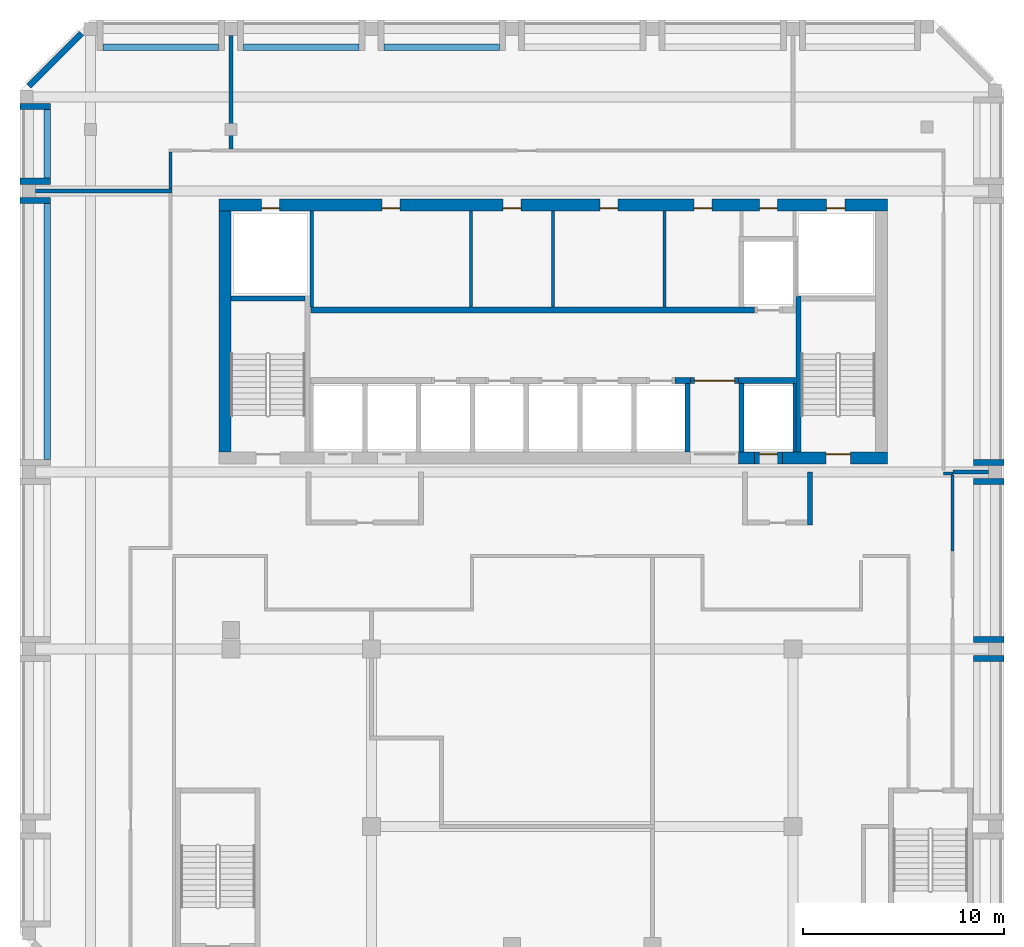
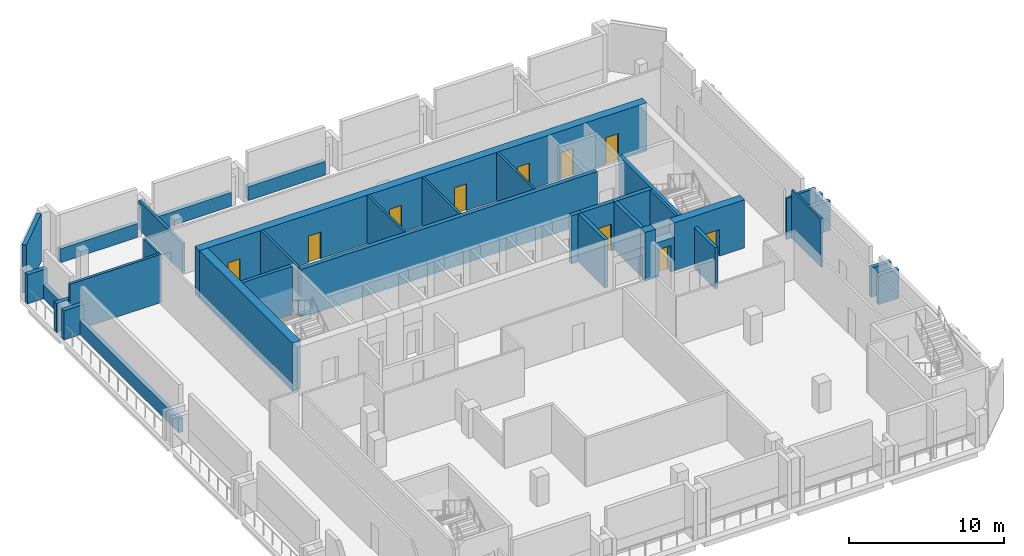
# One storey, part 4 of 7: 38 walls, 10 doors, 10 openings.
"""IFC4 building model written with IfcOpenShell, lengths in metres."""

from ifc_helpers import new_model, si_unit, direction, frame, frame_2d, origin, place, context, subcontext, project, spatial, rectangle, extrude, source, transform, mapped, material, layer, layer_set, type_object, element, fill, save


model = new_model("IFC4")

# Units and contexts
model_context = context("Model", 3, precision=1e-05, world=origin(), true_north=direction((0.0, 1.0)))
body_context = subcontext(model_context, "Body", "Model", "MODEL_VIEW")
ifc_project = project(units=[si_unit("LENGTHUNIT", "METRE"), si_unit("AREAUNIT", "SQUARE_METRE"), si_unit("VOLUMEUNIT", "CUBIC_METRE"), si_unit("PLANEANGLEUNIT", "RADIAN"), si_unit("MASSUNIT", "GRAM", prefix="KILO")], contexts=[model_context])

# Site, building, storey
site_placement = place(None, origin())
site = spatial("IfcSite", under=ifc_project, at=site_placement, CompositionType="ELEMENT")
building_placement = place(site_placement, origin())
building = spatial("IfcBuilding", under=site, at=building_placement, Name="Kilnfold Tower and Market Hall", CompositionType="ELEMENT")
storey_placement = place(building_placement, frame((0.0, 0.0, 290.800048828125)))
storey = spatial("IfcBuildingStorey", under=building, at=storey_placement, Name="L72 Plant Transfer Level", CompositionType="ELEMENT", Elevation=290.800048828125)

# Walls
ifc_material_1 = material(Name="Gypsum board on steel studs", Category="steel")
ifc_layer_1 = layer(ifc_material_1, 0.14990234375)
ifc_layer_set_1 = layer_set([ifc_layer_1], Name="Gypsum board on steel studs")
wall_type_1 = type_object("IfcWallType", Name="WALL CORRIDOR 150", PredefinedType="PARTITIONING", material=ifc_layer_set_1)
wall_1_placement = place(storey_placement, frame((20.9541015625, 7.912109375, 0.0), z_axis=(0.0, 0.0, 1.0), x_axis=(-1.0, 0.0, 0.0)))
element("IfcWall", 1, at=wall_1_placement, inside=storey, type_object=wall_type_1, Name="Partition LY44.19", PredefinedType="PARTITIONING", context=body_context, shape_type="SweptSolid", body=[
    extrude(rectangle(XDim=0.4541015625, YDim=0.14990234375, at=frame_2d((0.22705078125, 0.0))), origin(), (0.0, 0.0, 1.0), 3.25),
])
wall_2_placement = place(storey_placement, frame((20.951904296875, 4.048095703125, 0.0), z_axis=(0.0, 0.0, 1.0), x_axis=(0.0, 1.0, 0.0)))
element("IfcWall", 2, at=wall_2_placement, inside=storey, type_object=wall_type_1, Name="Partition LY44.20", PredefinedType="PARTITIONING", context=body_context, shape_type="SweptSolid", body=[
    extrude(rectangle(XDim=3.788818359375, YDim=0.14990234375, at=frame_2d((1.89453125, 0.0))), origin(), (0.0, 0.0, 1.0), 3.800048828125),
])
wall_3_placement = place(storey_placement, frame((-18.0, 22.090087890625, 0.0), z_axis=(0.0, 0.0, 1.0), x_axis=(0.0, 1.0, 0.0)))
element("IfcWall", 3, at=wall_3_placement, inside=storey, type_object=wall_type_1, Name="Partition LY44.23", PredefinedType="PARTITIONING", context=body_context, shape_type="SweptSolid", body=[
    extrude(rectangle(XDim=1.8349609375, YDim=0.14990234375, at=frame_2d((0.91748046875, 0.0))), origin(), (0.0, 0.0, 1.0), 3.800048828125),
])
ifc_material_2 = material(Name="Gypsum board on steel studs", Category="steel")
ifc_layer_2 = layer(ifc_material_2, 0.199951171875)
ifc_layer_set_2 = layer_set([ifc_layer_2], Name="Gypsum board on steel studs")
wall_type_2 = type_object("IfcWallType", Name="WALL PARTY 200", PredefinedType="PARTITIONING", material=ifc_layer_set_2)
wall_4_placement = place(storey_placement, frame((-17.927001953125, 22.0, 0.0), z_axis=(0.0, 0.0, 1.0), x_axis=(-1.0, 0.0, 0.0)))
element("IfcWall", 4, at=wall_4_placement, inside=storey, type_object=wall_type_2, Name="Partition LY44.31", PredefinedType="PARTITIONING", context=body_context, shape_type="SweptSolid", body=[
    extrude(rectangle(XDim=6.798095703125, YDim=0.199951171875, at=frame_2d((3.39892578125, 0.0))), origin(), (0.0, 0.0, 1.0), 3.800048828125),
])
wall_5_placement = place(storey_placement, frame((22.72509765625, 8.0, 0.0), z_axis=(0.0, 0.0, 1.0), x_axis=(-1.0, 0.0, 0.0)))
element("IfcWall", 5, at=wall_5_placement, inside=storey, type_object=wall_type_2, Name="Partition LY44.36", PredefinedType="PARTITIONING", context=body_context, shape_type="SweptSolid", body=[
    extrude(rectangle(XDim=1.77099609375, YDim=0.199951171875, at=frame_2d((0.885498046875, 0.0))), origin(), (0.0, 0.0, 1.0), 3.25),
])
wall_6_placement = place(storey_placement, frame((-15.0, 29.72509765625, 0.0), z_axis=(0.0, 0.0, 1.0), x_axis=(0.0, -1.0, 0.0)))
element("IfcWall", 6, at=wall_6_placement, inside=storey, type_object=wall_type_2, Name="Partition LY44.38", PredefinedType="PARTITIONING", context=body_context, shape_type="SweptSolid", body=[
    extrude(rectangle(XDim=5.648193359375, YDim=0.199951171875, at=frame_2d((2.82421875, 0.0))), origin(), (0.0, 0.0, 1.0), 2.300048828125),
])
ifc_material_3 = material(Name="Concrete C50", Category="concrete")
ifc_layer_3 = layer(ifc_material_3, 0.25)
ifc_layer_set_3 = layer_set([ifc_layer_3], Name="Concrete C50")
wall_type_3 = type_object("IfcWallType", Name="CORE WALL 250 C50", PredefinedType="SHEAR", material=ifc_layer_set_3)
shared_shape_1 = source(origin(), body_context, "Body", "SweptSolid", [
    extrude(rectangle(XDim=7.75, YDim=0.25, at=frame_2d((3.875, 0.0))), origin(), (0.0, 0.0, 1.0), 3.800048828125),
])
wall_7_placement = place(storey_placement, frame((13.27490234375, 9.0, 0.0), z_axis=(0.0, 0.0, 1.0), x_axis=(0.0, 1.0, 0.0)))
element("IfcWall", 7, at=wall_7_placement, inside=storey, type_object=wall_type_3, Name="Stair enclosure ST2", PredefinedType="SHEAR", context=body_context, shape_type="MappedRepresentation", body=[
    mapped(shared_shape_1, transform((0.0, 0.0, 0.0))),
])
shared_shape_2 = source(origin(), body_context, "Body", "SweptSolid", [
    extrude(rectangle(XDim=3.699951171875, YDim=0.25, at=frame_2d((1.85009765625, 0.0))), origin(), (0.0, 0.0, 1.0), 3.800048828125),
])
wall_8_placement = place(storey_placement, frame((-15.0, 16.625, 0.0), z_axis=(0.0, 0.0, 1.0), x_axis=(1.0, 0.0, 0.0)))
element("IfcWall", 8, at=wall_8_placement, inside=storey, type_object=wall_type_3, Name="Stair enclosure ST1", PredefinedType="SHEAR", context=body_context, shape_type="MappedRepresentation", body=[
    mapped(shared_shape_2, transform((0.0, 0.0, 0.0))),
])
ifc_material_4 = material(Name="Concrete C50", Category="concrete")
ifc_layer_4 = layer(ifc_material_4, 0.300048828125)
ifc_layer_set_4 = layer_set([ifc_layer_4], Name="Concrete C50")
wall_type_4 = type_object("IfcWallType", Name="CORE WALL 300 C50", PredefinedType="SHEAR", material=ifc_layer_set_4)
shared_shape_3 = source(origin(), body_context, "Body", "SweptSolid", [
    extrude(rectangle(XDim=0.77978515625, YDim=0.300048828125, at=frame_2d((0.389892578125, 0.0))), origin(), (0.0, 0.0, 1.0), 3.800048828125),
])
wall_9_placement = place(storey_placement, frame((7.110107421875, 12.550048828125, 0.0), z_axis=(0.0, 0.0, 1.0), x_axis=(1.0, 0.0, 0.0)))
element("IfcWall", 9, at=wall_9_placement, inside=storey, type_object=wall_type_4, Name="Core spine wall", PredefinedType="SHEAR", context=body_context, shape_type="MappedRepresentation", body=[
    mapped(shared_shape_3, transform((0.0, 0.0, 0.0))),
])
shared_shape_4 = source(origin(), body_context, "Body", "SweptSolid", [
    extrude(rectangle(XDim=2.820068359375, YDim=0.300048828125, at=frame_2d((1.41015625, 0.0))), origin(), (0.0, 0.0, 1.0), 3.800048828125),
])
wall_10_placement = place(storey_placement, frame((10.2900390625, 12.550048828125, 0.0), z_axis=(0.0, 0.0, 1.0), x_axis=(1.0, 0.0, 0.0)))
element("IfcWall", 10, at=wall_10_placement, inside=storey, type_object=wall_type_4, Name="Core spine wall", PredefinedType="SHEAR", context=body_context, shape_type="MappedRepresentation", body=[
    mapped(shared_shape_4, transform((0.0, 0.0, 0.0))),
])

# Wall, opening, door
ifc_material_5 = material(Name="Concrete C50", Category="concrete")
ifc_layer_5 = layer(ifc_material_5, 0.60009765625)
ifc_layer_set_5 = layer_set([ifc_layer_5], Name="Concrete C50")
wall_type_5 = type_object("IfcWallType", Name="CORE WALL 600 C50", PredefinedType="SHEAR", material=ifc_layer_set_5)
shared_shape_5 = source(origin(), body_context, "Body", "SweptSolid", [
    extrude(rectangle(XDim=5.22998046875, YDim=0.60009765625, at=frame_2d((2.614990234375, 0.0))), origin(), (0.0, 0.0, 1.0), 3.800048828125),
])
wall_11_placement = place(storey_placement, frame((12.469970703125, 8.699951171875, 0.0), z_axis=(0.0, 0.0, 1.0), x_axis=(1.0, 0.0, 0.0)))
wall_11 = element("IfcWall", 11, at=wall_11_placement, inside=storey, type_object=wall_type_5, Name="Core outer wall south", PredefinedType="SHEAR", context=body_context, shape_type="MappedRepresentation", body=[
    mapped(shared_shape_5, transform((0.0, 0.0, 0.0))),
])
opening_1_placement = place(wall_11_placement, frame((2.179931640625, 0.0, 0.0)))
opening_1 = element("IfcOpeningElement", 12, at=opening_1_placement, cuts=wall_11, Name="Opening SD1", PredefinedType="OPENING", context=body_context, shape_type="SweptSolid", body=[
    extrude(rectangle(XDim=1.199951171875, YDim=2.10009765625, at=frame_2d((0.60009765625, 1.050048828125))), frame((0.0, 0.31005859375, 0.0), z_axis=(0.0, -1.0, 0.0), x_axis=(1.0, 0.0, 0.0)), (0.0, 0.0, 1.0), 0.6201171875),
])
ifc_material_6 = material(Name="Steel door set with fire-resisting leaf", Category="steel")
door_type_1 = type_object("IfcDoorType", Name="STAIR FLOOR DOOR 1200X2100", OperationType="NOTDEFINED", PredefinedType="DOOR", material=ifc_material_6)
door_1_placement = place(opening_1_placement, origin())
door_1 = element("IfcDoor", 13, at=door_1_placement, inside=storey, type_object=door_type_1, Name="Exit stair ST2 door", OperationType="DOUBLE_DOOR_SINGLE_SWING", OverallHeight=2.10009765625, OverallWidth=1.199951171875, PredefinedType="DOOR", context=body_context, shape_type="SweptSolid", body=[
    extrude(rectangle(XDim=1.199951171875, YDim=2.10009765625, at=frame_2d((0.60009765625, 1.050048828125))), frame((0.0, 0.205078125, 0.0), z_axis=(0.0, -1.0, 0.0), x_axis=(1.0, 0.0, 0.0)), (0.0, 0.0, 1.0), 0.050048828125),
])
fill(opening_1, door_1)

# Wall
shared_shape_6 = source(origin(), body_context, "Body", "SweptSolid", [
    extrude(rectangle(XDim=0.780029296875, YDim=0.60009765625, at=frame_2d((0.39013671875, 0.0))), origin(), (0.0, 0.0, 1.0), 3.800048828125),
])
wall_12_placement = place(storey_placement, frame((10.2900390625, 8.699951171875, 0.0), z_axis=(0.0, 0.0, 1.0), x_axis=(1.0, 0.0, 0.0)))
element("IfcWall", 14, at=wall_12_placement, inside=storey, type_object=wall_type_5, Name="Core outer wall south", PredefinedType="SHEAR", context=body_context, shape_type="MappedRepresentation", body=[
    mapped(shared_shape_6, transform((0.0, 0.0, 0.0))),
])

# Wall, openings, doors
shared_shape_7 = source(origin(), body_context, "Body", "SweptSolid", [
    extrude(rectangle(XDim=33.300048828125, YDim=0.60009765625, at=frame_2d((16.64990234375, 0.0))), origin(), (0.0, 0.0, 1.0), 3.800048828125),
])
wall_13_placement = place(storey_placement, frame((-15.60009765625, 21.300048828125, 0.0), z_axis=(0.0, 0.0, 1.0), x_axis=(1.0, 0.0, 0.0)))
wall_13 = element("IfcWall", 15, at=wall_13_placement, inside=storey, type_object=wall_type_5, Name="Core outer wall north", PredefinedType="SHEAR", context=body_context, shape_type="MappedRepresentation", body=[
    mapped(shared_shape_7, transform((0.0, 0.0, 0.0))),
])
opening_2_placement = place(wall_13_placement, frame((8.119873046875, 0.0, 0.0)))
opening_2 = element("IfcOpeningElement", 16, at=opening_2_placement, cuts=wall_13, Name="Opening KD1", PredefinedType="OPENING", context=body_context, shape_type="SweptSolid", body=[
    extrude(rectangle(XDim=0.89990234375, YDim=2.10009765625, at=frame_2d((0.449951171875, 1.050048828125))), frame((0.0, 0.31005859375, 0.0), z_axis=(0.0, -1.0, 0.0), x_axis=(1.0, 0.0, 0.0)), (0.0, 0.0, 1.0), 0.6201171875),
])
opening_3_placement = place(wall_13_placement, frame((14.14990234375, 0.0, 0.0)))
opening_3 = element("IfcOpeningElement", 17, at=opening_3_placement, cuts=wall_13, Name="Opening KD1", PredefinedType="OPENING", context=body_context, shape_type="SweptSolid", body=[
    extrude(rectangle(XDim=0.89990234375, YDim=2.10009765625, at=frame_2d((0.449951171875, 1.050048828125))), frame((0.0, 0.31005859375, 0.0), z_axis=(0.0, -1.0, 0.0), x_axis=(1.0, 0.0, 0.0)), (0.0, 0.0, 1.0), 0.6201171875),
])
opening_4_placement = place(wall_13_placement, frame((18.973876953125, 0.0, 0.0)))
opening_4 = element("IfcOpeningElement", 18, at=opening_4_placement, cuts=wall_13, Name="Opening KD1", PredefinedType="OPENING", context=body_context, shape_type="SweptSolid", body=[
    extrude(rectangle(XDim=0.89990234375, YDim=2.10009765625, at=frame_2d((0.449951171875, 1.050048828125))), frame((0.0, 0.31005859375, 0.0), z_axis=(0.0, -1.0, 0.0), x_axis=(1.0, 0.0, 0.0)), (0.0, 0.0, 1.0), 0.6201171875),
])
opening_5_placement = place(wall_13_placement, frame((23.663818359375, 0.0, 0.0)))
opening_5 = element("IfcOpeningElement", 19, at=opening_5_placement, cuts=wall_13, Name="Opening KD1", PredefinedType="OPENING", context=body_context, shape_type="SweptSolid", body=[
    extrude(rectangle(XDim=0.89990234375, YDim=2.10009765625, at=frame_2d((0.449951171875, 1.050048828125))), frame((0.0, 0.31005859375, 0.0), z_axis=(0.0, -1.0, 0.0), x_axis=(1.0, 0.0, 0.0)), (0.0, 0.0, 1.0), 0.6201171875),
])
opening_6_placement = place(wall_13_placement, frame((26.919921875, 0.0, 0.0)))
opening_6 = element("IfcOpeningElement", 20, at=opening_6_placement, cuts=wall_13, Name="Opening KD1", PredefinedType="OPENING", context=body_context, shape_type="SweptSolid", body=[
    extrude(rectangle(XDim=0.89990234375, YDim=2.10009765625, at=frame_2d((0.449951171875, 1.050048828125))), frame((0.0, 0.31005859375, 0.0), z_axis=(0.0, -1.0, 0.0), x_axis=(1.0, 0.0, 0.0)), (0.0, 0.0, 1.0), 0.6201171875),
])
opening_7_placement = place(wall_13_placement, frame((2.125, 0.0, 0.0)))
opening_7 = element("IfcOpeningElement", 21, at=opening_7_placement, cuts=wall_13, Name="Opening KD1", PredefinedType="OPENING", context=body_context, shape_type="SweptSolid", body=[
    extrude(rectangle(XDim=0.89990234375, YDim=2.10009765625, at=frame_2d((0.449951171875, 1.050048828125))), frame((0.0, 0.31005859375, 0.0), z_axis=(0.0, -1.0, 0.0), x_axis=(1.0, 0.0, 0.0)), (0.0, 0.0, 1.0), 0.6201171875),
])
opening_8_placement = place(wall_13_placement, frame((30.27490234375, 0.0, 0.0)))
opening_8 = element("IfcOpeningElement", 22, at=opening_8_placement, cuts=wall_13, Name="Opening KD1", PredefinedType="OPENING", context=body_context, shape_type="SweptSolid", body=[
    extrude(rectangle(XDim=0.89990234375, YDim=2.10009765625, at=frame_2d((0.449951171875, 1.050048828125))), frame((0.0, 0.31005859375, 0.0), z_axis=(0.0, -1.0, 0.0), x_axis=(1.0, 0.0, 0.0)), (0.0, 0.0, 1.0), 0.6201171875),
])
ifc_material_7 = material(Name="Steel door set with fire-resisting leaf", Category="steel")
door_type_2 = type_object("IfcDoorType", Name="SERVICE DOOR 900X2100", OperationType="NOTDEFINED", PredefinedType="DOOR", material=ifc_material_7)
door_2_placement = place(opening_2_placement, origin())
door_2 = element("IfcDoor", 23, at=door_2_placement, inside=storey, type_object=door_type_2, Name="Core service door", OperationType="SINGLE_SWING_RIGHT", OverallHeight=2.10009765625, OverallWidth=0.89990234375, PredefinedType="DOOR", context=body_context, shape_type="SweptSolid", body=[
    extrude(rectangle(XDim=0.89990234375, YDim=2.10009765625, at=frame_2d((0.449951171875, 1.050048828125))), frame((0.0, -0.15478515625, 0.0), z_axis=(0.0, -1.0, 0.0), x_axis=(1.0, 0.0, 0.0)), (0.0, 0.0, 1.0), 0.050048828125),
])
fill(opening_2, door_2)
door_3_placement = place(opening_3_placement, origin())
door_3 = element("IfcDoor", 24, at=door_3_placement, inside=storey, type_object=door_type_2, Name="Core service door", OperationType="SINGLE_SWING_LEFT", OverallHeight=2.10009765625, OverallWidth=0.89990234375, PredefinedType="DOOR", context=body_context, shape_type="SweptSolid", body=[
    extrude(rectangle(XDim=0.89990234375, YDim=2.10009765625, at=frame_2d((0.449951171875, 1.050048828125))), frame((0.0, -0.15478515625, 0.0), z_axis=(0.0, -1.0, 0.0), x_axis=(1.0, 0.0, 0.0)), (0.0, 0.0, 1.0), 0.050048828125),
])
fill(opening_3, door_3)
door_4_placement = place(opening_4_placement, origin())
door_4 = element("IfcDoor", 25, at=door_4_placement, inside=storey, type_object=door_type_2, Name="Core service door", OperationType="SINGLE_SWING_RIGHT", OverallHeight=2.10009765625, OverallWidth=0.89990234375, PredefinedType="DOOR", context=body_context, shape_type="SweptSolid", body=[
    extrude(rectangle(XDim=0.89990234375, YDim=2.10009765625, at=frame_2d((0.449951171875, 1.050048828125))), frame((0.0, -0.15478515625, 0.0), z_axis=(0.0, -1.0, 0.0), x_axis=(1.0, 0.0, 0.0)), (0.0, 0.0, 1.0), 0.050048828125),
])
fill(opening_4, door_4)
door_5_placement = place(opening_5_placement, origin())
door_5 = element("IfcDoor", 26, at=door_5_placement, inside=storey, type_object=door_type_2, Name="Core service door", OperationType="SINGLE_SWING_LEFT", OverallHeight=2.10009765625, OverallWidth=0.89990234375, PredefinedType="DOOR", context=body_context, shape_type="SweptSolid", body=[
    extrude(rectangle(XDim=0.89990234375, YDim=2.10009765625, at=frame_2d((0.449951171875, 1.050048828125))), frame((0.0, -0.15478515625, 0.0), z_axis=(0.0, -1.0, 0.0), x_axis=(1.0, 0.0, 0.0)), (0.0, 0.0, 1.0), 0.050048828125),
])
fill(opening_5, door_5)
door_6_placement = place(opening_6_placement, origin())
door_6 = element("IfcDoor", 27, at=door_6_placement, inside=storey, type_object=door_type_2, Name="Core service door", OperationType="SINGLE_SWING_RIGHT", OverallHeight=2.10009765625, OverallWidth=0.89990234375, PredefinedType="DOOR", context=body_context, shape_type="SweptSolid", body=[
    extrude(rectangle(XDim=0.89990234375, YDim=2.10009765625, at=frame_2d((0.449951171875, 1.050048828125))), frame((0.0, -0.15478515625, 0.0), z_axis=(0.0, -1.0, 0.0), x_axis=(1.0, 0.0, 0.0)), (0.0, 0.0, 1.0), 0.050048828125),
])
fill(opening_6, door_6)
door_7_placement = place(opening_7_placement, origin())
door_7 = element("IfcDoor", 28, at=door_7_placement, inside=storey, type_object=door_type_2, Name="Electrical riser access door", OperationType="SINGLE_SWING_LEFT", OverallHeight=2.10009765625, OverallWidth=0.89990234375, PredefinedType="DOOR", context=body_context, shape_type="SweptSolid", body=[
    extrude(rectangle(XDim=0.89990234375, YDim=2.10009765625, at=frame_2d((0.449951171875, 1.050048828125))), frame((0.0, -0.15478515625, 0.0), z_axis=(0.0, -1.0, 0.0), x_axis=(1.0, 0.0, 0.0)), (0.0, 0.0, 1.0), 0.050048828125),
])
fill(opening_7, door_7)
door_8_placement = place(opening_8_placement, origin())
door_8 = element("IfcDoor", 29, at=door_8_placement, inside=storey, type_object=door_type_2, Name="Mechanical riser access door", OperationType="SINGLE_SWING_RIGHT", OverallHeight=2.10009765625, OverallWidth=0.89990234375, PredefinedType="DOOR", context=body_context, shape_type="SweptSolid", body=[
    extrude(rectangle(XDim=0.89990234375, YDim=2.10009765625, at=frame_2d((0.449951171875, 1.050048828125))), frame((0.0, -0.15478515625, 0.0), z_axis=(0.0, -1.0, 0.0), x_axis=(1.0, 0.0, 0.0)), (0.0, 0.0, 1.0), 0.050048828125),
])
fill(opening_8, door_8)

# Walls
shared_shape_8 = source(origin(), body_context, "Body", "SweptSolid", [
    extrude(rectangle(XDim=12.0, YDim=0.60009765625, at=frame_2d((6.0, 0.0))), origin(), (0.0, 0.0, 1.0), 3.800048828125),
])
wall_14_placement = place(storey_placement, frame((-15.300048828125, 9.0, 0.0), z_axis=(0.0, 0.0, 1.0), x_axis=(0.0, 1.0, 0.0)))
element("IfcWall", 30, at=wall_14_placement, inside=storey, type_object=wall_type_5, Name="Core outer wall west", PredefinedType="SHEAR", context=body_context, shape_type="MappedRepresentation", body=[
    mapped(shared_shape_8, transform((0.0, 0.0, 0.0))),
])
shared_shape_9 = source(origin(), body_context, "Body", "SweptSolid", [
    extrude(rectangle(XDim=22.080078125, YDim=0.300048828125, at=frame_2d((11.0400390625, 0.0))), origin(), (0.0, 0.0, 1.0), 3.800048828125),
])
wall_15_placement = place(storey_placement, frame((-11.010009765625, 16.050048828125, 0.0), z_axis=(0.0, 0.0, 1.0), x_axis=(1.0, 0.0, 0.0)))
element("IfcWall", 31, at=wall_15_placement, inside=storey, type_object=wall_type_4, Name="Core spine wall", PredefinedType="SHEAR", context=body_context, shape_type="MappedRepresentation", body=[
    mapped(shared_shape_9, transform((0.0, 0.0, 0.0))),
])
ifc_material_8 = material(Name="Precast concrete C50/60", Category="concrete")
ifc_layer_6 = layer(ifc_material_8, 0.300048828125)
ifc_layer_set_6 = layer_set([ifc_layer_6], Name="Precast concrete C50/60")
wall_type_6 = type_object("IfcWallType", Name="PRECAST WALL 300", PredefinedType="SOLIDWALL", material=ifc_layer_set_6)
shared_shape_10 = source(origin(), body_context, "Body", "SweptSolid", [
    extrude(rectangle(XDim=1.5, YDim=0.300048828125, at=frame_2d((0.75, 0.0))), origin(), (0.0, 0.0, 1.0), 2.300048828125),
])
for number, where, z_axis, x_axis, name in (
    (32, (23.5, -1.308349609375, 0.0), (0.0, 0.0, 1.0), (-1.0, 0.0, 0.0), "Plant wall L72 E"),
    (33, (23.5, -0.3583984375, 0.0), (0.0, 0.0, 1.0), (-1.0, 0.0, 0.0), "Plant wall L72 E"),
    (34, (23.5, 7.52490234375, 0.0), (0.0, 0.0, 1.0), (-1.0, 0.0, 0.0), "Plant wall L72 E"),
    (35, (23.5, 8.47509765625, 0.0), (0.0, 0.0, 1.0), (-1.0, 0.0, 0.0), "Plant wall L72 E"),
    (36, (-25.5, 26.206787109375, 0.0), (0.0, 0.0, 1.0), (1.0, 0.0, 0.0), "Plant wall L72 W"),
    (37, (-25.5, 22.47509765625, 0.0), (0.0, 0.0, 1.0), (1.0, 0.0, 0.0), "Plant wall L72 W"),
    (38, (-25.5, 21.52490234375, 0.0), (0.0, 0.0, 1.0), (1.0, 0.0, 0.0), "Plant wall L72 W"),
):
    element("IfcWall", number, at=place(storey_placement, frame(where, z_axis=z_axis, x_axis=x_axis)), inside=storey, type_object=wall_type_6, Name=name, PredefinedType="SOLIDWALL", context=body_context, shape_type="MappedRepresentation", body=[
        mapped(shared_shape_10, transform((0.0, 0.0, 0.0))),
    ])
shared_shape_11 = source(origin(), body_context, "Body", "SweptSolid", [
    extrude(rectangle(XDim=5.75, YDim=0.300048828125, at=frame_2d((2.875, 0.0))), origin(), (0.0, 0.0, 1.0), 1.099853515625),
])
for number, where, z_axis, x_axis, name in (
    (39, (-1.625, 29.14990234375, 0.0), (0.0, 0.0, 1.0), (-1.0, 0.0, 0.0), "Knee wall L72 N"),
    (40, (-8.625, 29.14990234375, 0.0), (0.0, 0.0, 1.0), (-1.0, 0.0, 0.0), "Knee wall L72 N"),
    (41, (-15.625, 29.14990234375, 0.0), (0.0, 0.0, 1.0), (-1.0, 0.0, 0.0), "Knee wall L72 N"),
):
    element("IfcWall", number, at=place(storey_placement, frame(where, z_axis=z_axis, x_axis=x_axis)), inside=storey, type_object=wall_type_6, Name=name, PredefinedType="SOLIDWALL", context=body_context, shape_type="MappedRepresentation", body=[
        mapped(shared_shape_11, transform((0.0, 0.0, 0.0))),
    ])
shared_shape_12 = source(origin(), body_context, "Body", "SweptSolid", [
    extrude(rectangle(XDim=12.75, YDim=0.300048828125, at=frame_2d((6.375, 0.0))), origin(), (0.0, 0.0, 1.0), 1.099853515625),
])
wall_16_placement = place(storey_placement, frame((-24.14990234375, 21.375, 0.0), z_axis=(0.0, 0.0, 1.0), x_axis=(0.0, -1.0, 0.0)))
element("IfcWall", 42, at=wall_16_placement, inside=storey, type_object=wall_type_6, Name="Knee wall L72 W", PredefinedType="SOLIDWALL", context=body_context, shape_type="MappedRepresentation", body=[
    mapped(shared_shape_12, transform((0.0, 0.0, 0.0))),
])
shared_shape_13 = source(origin(), body_context, "Body", "SweptSolid", [
    extrude(rectangle(XDim=3.71240234375, YDim=0.300048828125, at=frame_2d((1.856201171875, 0.0))), origin(), (0.0, 0.0, 1.0), 3.800048828125),
])
wall_17_placement = place(storey_placement, frame((-22.44384765625, 29.843994140625, 0.0), z_axis=(0.0, 0.0, 1.0), x_axis=(-0.707106781187, -0.707106781187, 0.0)))
element("IfcWall", 43, at=wall_17_placement, inside=storey, type_object=wall_type_6, Name="Plant wall L72 NW", PredefinedType="SOLIDWALL", context=body_context, shape_type="MappedRepresentation", body=[
    mapped(shared_shape_13, transform((0.0, 0.0, 0.0))),
])
shared_shape_14 = source(origin(), body_context, "Body", "SweptSolid", [
    extrude(rectangle(XDim=3.431884765625, YDim=0.300048828125, at=frame_2d((1.7158203125, 0.0))), origin(), (0.0, 0.0, 1.0), 1.099853515625),
])
wall_18_placement = place(storey_placement, frame((-24.14990234375, 26.056884765625, 0.0), z_axis=(0.0, 0.0, 1.0), x_axis=(0.0, -1.0, 0.0)))
element("IfcWall", 44, at=wall_18_placement, inside=storey, type_object=wall_type_6, Name="Knee wall L72 W", PredefinedType="SOLIDWALL", context=body_context, shape_type="MappedRepresentation", body=[
    mapped(shared_shape_14, transform((0.0, 0.0, 0.0))),
])

# Wall, opening, door
ifc_material_9 = material(Name="Gypsum shaft wall system")
ifc_layer_7 = layer(ifc_material_9, 0.300048828125)
ifc_layer_set_7 = layer_set([ifc_layer_7], Name="Gypsum shaft wall system")
wall_type_7 = type_object("IfcWallType", Name="SHAFT WALL 300", PredefinedType="PARTITIONING", material=ifc_layer_set_7)
shared_shape_15 = source(origin(), body_context, "Body", "SweptSolid", [
    extrude(rectangle(XDim=2.400146484375, YDim=0.300048828125, at=frame_2d((1.2001953125, 0.0))), origin(), (0.0, 0.0, 1.0), 3.800048828125),
])
wall_19_placement = place(storey_placement, frame((7.889892578125, 12.550048828125, 0.0), z_axis=(0.0, 0.0, 1.0), x_axis=(1.0, 0.0, 0.0)))
wall_19 = element("IfcWall", 45, at=wall_19_placement, inside=storey, type_object=wall_type_7, Name="Lift shaft front wall", PredefinedType="PARTITIONING", context=body_context, shape_type="MappedRepresentation", body=[
    mapped(shared_shape_15, transform((0.0, 0.0, 0.0))),
])
opening_9_placement = place(wall_19_placement, frame((0.199951171875, 0.0, 0.0)))
opening_9 = element("IfcOpeningElement", 46, at=opening_9_placement, cuts=wall_19, Name="Opening VD2", PredefinedType="OPENING", context=body_context, shape_type="SweptSolid", body=[
    extrude(rectangle(XDim=2.0, YDim=2.10009765625, at=frame_2d((1.0, 1.050048828125))), frame((0.0, 0.16015625, 0.0), z_axis=(0.0, -1.0, 0.0), x_axis=(1.0, 0.0, 0.0)), (0.0, 0.0, 1.0), 0.320068359375),
])
ifc_material_10 = material(Name="Steel door set with fire-resisting leaf", Category="steel")
door_type_3 = type_object("IfcDoorType", Name="LIFT LOBBY ENTRANCE DOOR 2000X2100", OperationType="NOTDEFINED", PredefinedType="DOOR", material=ifc_material_10)
door_9_placement = place(opening_9_placement, origin())
door_9 = element("IfcDoor", 47, at=door_9_placement, inside=storey, type_object=door_type_3, Name="Lift lobby entrance door", OperationType="DOUBLE_DOOR_SINGLE_SWING", OverallHeight=2.10009765625, OverallWidth=2.0, PredefinedType="DOOR", context=body_context, shape_type="SweptSolid", body=[
    extrude(rectangle(XDim=2.0, YDim=2.10009765625, at=frame_2d((1.0, 1.050048828125))), frame((0.0, 0.02490234375, 0.0), z_axis=(0.0, -1.0, 0.0), x_axis=(1.0, 0.0, 0.0)), (0.0, 0.0, 1.0), 0.050048828125),
])
fill(opening_9, door_9)

# Walls
ifc_material_11 = material(Name="Gypsum shaft wall system")
ifc_layer_8 = layer(ifc_material_11, 0.25)
ifc_layer_set_8 = layer_set([ifc_layer_8], Name="Gypsum shaft wall system")
wall_type_8 = type_object("IfcWallType", Name="SHAFT WALL 250", PredefinedType="PARTITIONING", material=ifc_layer_set_8)
shared_shape_16 = source(origin(), body_context, "Body", "SweptSolid", [
    extrude(rectangle(XDim=3.39990234375, YDim=0.25, at=frame_2d((1.699951171875, 0.0))), origin(), (0.0, 0.0, 1.0), 3.800048828125),
])
for number, where, z_axis, x_axis, name in (
    (48, (10.429931640625, 9.0, 0.0), (0.0, 0.0, 1.0), (0.0, 1.0, 0.0), "Lift shaft wall"),
    (49, (7.75, 9.0, 0.0), (0.0, 0.0, 1.0), (0.0, 1.0, 0.0), "Lift shaft wall"),
):
    element("IfcWall", number, at=place(storey_placement, frame(where, z_axis=z_axis, x_axis=x_axis)), inside=storey, type_object=wall_type_8, Name=name, PredefinedType="PARTITIONING", context=body_context, shape_type="MappedRepresentation", body=[
        mapped(shared_shape_16, transform((0.0, 0.0, 0.0))),
    ])
ifc_material_12 = material(Name="Gypsum shaft wall system")
ifc_layer_9 = layer(ifc_material_12, 0.1650390625)
ifc_layer_set_9 = layer_set([ifc_layer_9], Name="Gypsum shaft wall system")
wall_type_9 = type_object("IfcWallType", Name="SHAFT WALL 165", PredefinedType="PARTITIONING", material=ifc_layer_set_9)
shared_shape_17 = source(origin(), body_context, "Body", "SweptSolid", [
    extrude(rectangle(XDim=3.39990234375, YDim=0.1650390625, at=frame_2d((1.699951171875, 0.0))), origin(), (0.0, 0.0, 1.0), 3.800048828125),
])
wall_20_placement = place(storey_placement, frame((13.0673828125, 9.0, 0.0), z_axis=(0.0, 0.0, 1.0), x_axis=(0.0, 1.0, 0.0)))
element("IfcWall", 50, at=wall_20_placement, inside=storey, type_object=wall_type_9, Name="Lift shaft wall", PredefinedType="PARTITIONING", context=body_context, shape_type="MappedRepresentation", body=[
    mapped(shared_shape_17, transform((0.0, 0.0, 0.0))),
])
shared_shape_18 = source(origin(), body_context, "Body", "SweptSolid", [
    extrude(rectangle(XDim=4.800048828125, YDim=0.1650390625, at=frame_2d((2.39990234375, 0.0))), origin(), (0.0, 0.0, 1.0), 3.800048828125),
])
wall_21_placement = place(storey_placement, frame((-10.967529296875, 16.199951171875, 0.0), z_axis=(0.0, 0.0, 1.0), x_axis=(0.0, 1.0, 0.0)))
element("IfcWall", 51, at=wall_21_placement, inside=storey, type_object=wall_type_9, Name="Lift shaft wall", PredefinedType="PARTITIONING", context=body_context, shape_type="MappedRepresentation", body=[
    mapped(shared_shape_18, transform((0.0, 0.0, 0.0))),
])
ifc_material_13 = material(Name="Gypsum shaft wall system")
ifc_layer_10 = layer(ifc_material_13, 0.14990234375)
ifc_layer_set_10 = layer_set([ifc_layer_10], Name="Gypsum shaft wall system")
wall_type_10 = type_object("IfcWallType", Name="ROOM WALL 150", PredefinedType="PARTITIONING", material=ifc_layer_set_10)
shared_shape_19 = source(origin(), body_context, "Body", "SweptSolid", [
    extrude(rectangle(XDim=4.800048828125, YDim=0.14990234375, at=frame_2d((2.39990234375, 0.0))), origin(), (0.0, 0.0, 1.0), 3.800048828125),
])
for number, where, z_axis, x_axis, name in (
    (52, (-3.05029296875, 16.199951171875, 0.0), (0.0, 0.0, 1.0), (0.0, 1.0, 0.0), "Core room wall"),
    (53, (1.050048828125, 16.199951171875, 0.0), (0.0, 0.0, 1.0), (0.0, 1.0, 0.0), "Core room wall"),
    (54, (6.59765625, 16.199951171875, 0.0), (0.0, 0.0, 1.0), (0.0, 1.0, 0.0), "Core room wall"),
):
    element("IfcWall", number, at=place(storey_placement, frame(where, z_axis=z_axis, x_axis=x_axis)), inside=storey, type_object=wall_type_10, Name=name, PredefinedType="PARTITIONING", context=body_context, shape_type="MappedRepresentation", body=[
        mapped(shared_shape_19, transform((0.0, 0.0, 0.0))),
    ])

# Wall, opening, door
ifc_material_14 = material(Name="Gypsum shaft wall system")
ifc_layer_11 = layer(ifc_material_14, 0.60009765625)
ifc_layer_set_11 = layer_set([ifc_layer_11], Name="Gypsum shaft wall system")
wall_type_11 = type_object("IfcWallType", Name="LOBBY WALL 600", PredefinedType="PARTITIONING", material=ifc_layer_set_11)
shared_shape_20 = source(origin(), body_context, "Body", "SweptSolid", [
    extrude(rectangle(XDim=1.39990234375, YDim=0.60009765625, at=frame_2d((0.699951171875, 0.0))), origin(), (0.0, 0.0, 1.0), 2.699951171875),
])
wall_22_placement = place(storey_placement, frame((11.070068359375, 8.699951171875, 0.0), z_axis=(0.0, 0.0, 1.0), x_axis=(1.0, 0.0, 0.0)))
wall_22 = element("IfcWall", 55, at=wall_22_placement, inside=storey, type_object=wall_type_11, Name="Core wall infill", PredefinedType="PARTITIONING", context=body_context, shape_type="MappedRepresentation", body=[
    mapped(shared_shape_20, transform((0.0, 0.0, 0.0))),
])
opening_10_placement = place(wall_22_placement, frame((0.25, 0.0, 0.0)))
opening_10 = element("IfcOpeningElement", 56, at=opening_10_placement, cuts=wall_22, Name="Opening LD1", PredefinedType="OPENING", context=body_context, shape_type="SweptSolid", body=[
    extrude(rectangle(XDim=0.89990234375, YDim=2.10009765625, at=frame_2d((0.449951171875, 1.050048828125))), frame((0.0, 0.31005859375, 0.0), z_axis=(0.0, -1.0, 0.0), x_axis=(1.0, 0.0, 0.0)), (0.0, 0.0, 1.0), 0.6201171875),
])
ifc_material_15 = material(Name="Steel door set with fire-resisting leaf", Category="steel")
door_type_4 = type_object("IfcDoorType", Name="FIREFIGHTING LANDING DOOR 900X2100", OperationType="NOTDEFINED", PredefinedType="DOOR", material=ifc_material_15)
door_10_placement = place(opening_10_placement, origin())
door_10 = element("IfcDoor", 57, at=door_10_placement, inside=storey, type_object=door_type_4, Name="Landing door FF3", OperationType="SLIDING_TO_LEFT", OverallHeight=2.10009765625, OverallWidth=0.89990234375, PredefinedType="DOOR", context=body_context, shape_type="SweptSolid", body=[
    extrude(rectangle(XDim=0.89990234375, YDim=2.10009765625, at=frame_2d((0.449951171875, 1.050048828125))), frame((0.0, 0.205078125, 0.0), z_axis=(0.0, -1.0, 0.0), x_axis=(1.0, 0.0, 0.0)), (0.0, 0.0, 1.0), 0.050048828125),
])
fill(opening_10, door_10)

# Wall
ifc_material_16 = material(Name="Gypsum shaft wall system")
ifc_layer_12 = layer(ifc_material_16, 0.25)
ifc_layer_set_12 = layer_set([ifc_layer_12], Name="Gypsum shaft wall system")
wall_type_12 = type_object("IfcWallType", Name="LOBBY WALL 250", PredefinedType="PARTITIONING", material=ifc_layer_set_12)
shared_shape_21 = source(origin(), body_context, "Body", "SweptSolid", [
    extrude(rectangle(XDim=2.64990234375, YDim=0.25, at=frame_2d((1.324951171875, 0.0))), origin(), (0.0, 0.0, 1.0), 3.25),
])
wall_23_placement = place(storey_placement, frame((13.85498046875, 5.35009765625, 0.0), z_axis=(0.0, 0.0, 1.0), x_axis=(0.0, 1.0, 0.0)))
element("IfcWall", 58, at=wall_23_placement, inside=storey, type_object=wall_type_12, Name="Firefighting lobby wall", PredefinedType="PARTITIONING", context=body_context, shape_type="MappedRepresentation", body=[
    mapped(shared_shape_21, transform((0.0, 0.0, 0.0))),
])

save(model, "model.ifc")
